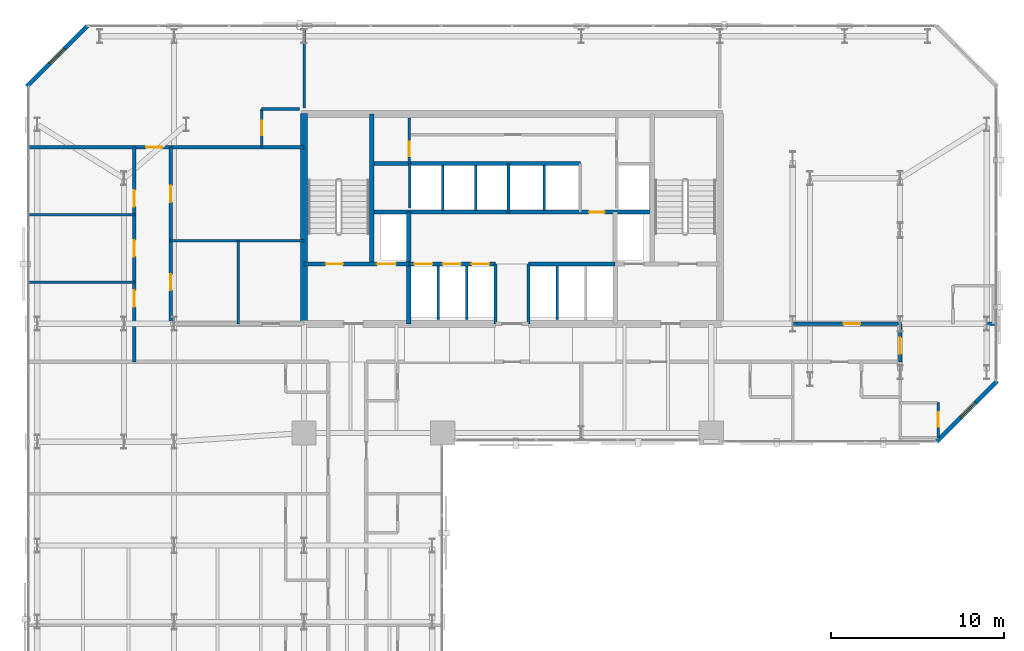
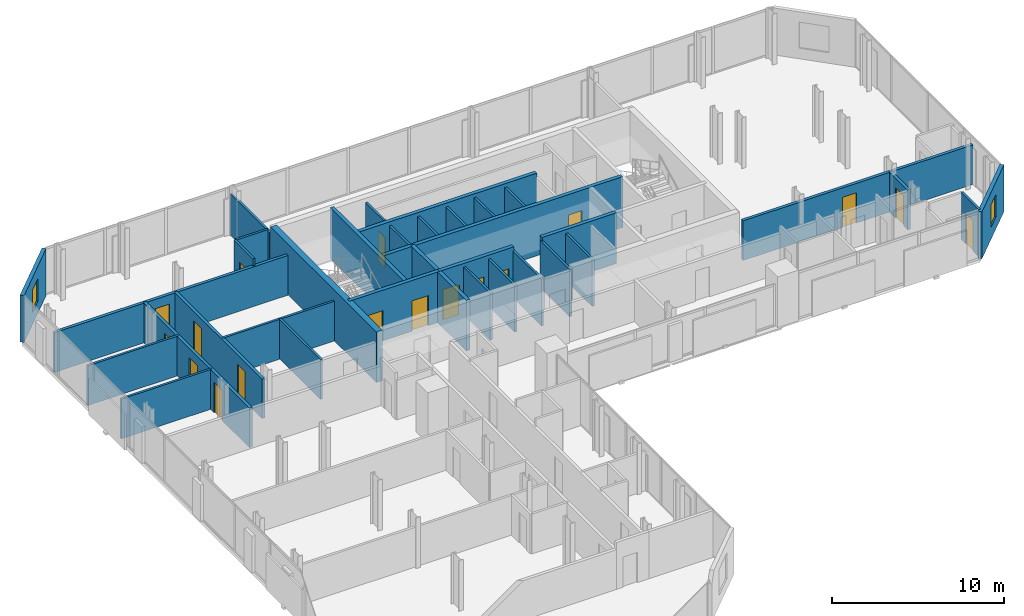
# One storey, part 30 of 33: 34 walls, 17 doors, 2 windows, 19 openings.
"""IFC4 building model written with IfcOpenShell, lengths in metres."""

from ifc_helpers import new_model, si_unit, direction, frame, frame_2d, origin, place, context, subcontext, project, spatial, rectangle, extrude, material, layer, layer_set, type_object, element, fill, save


model = new_model("IFC4")

# Units and contexts
model_context = context("Model", 3, precision=1e-05, world=origin(), true_north=direction((0.0, 1.0)))
body_context = subcontext(model_context, "Body", "Model", "MODEL_VIEW")
ifc_project = project(units=[si_unit("LENGTHUNIT", "METRE"), si_unit("AREAUNIT", "SQUARE_METRE"), si_unit("VOLUMEUNIT", "CUBIC_METRE"), si_unit("PLANEANGLEUNIT", "RADIAN"), si_unit("MASSUNIT", "GRAM", prefix="KILO")], contexts=[model_context])

# Site, building, storey
site_placement = place(None, origin())
site = spatial("IfcSite", under=ifc_project, at=site_placement, CompositionType="ELEMENT")
building_placement = place(site_placement, origin())
building = spatial("IfcBuilding", under=site, at=building_placement, Name="Catumbela Crestline Tower", CompositionType="ELEMENT")
storey_placement = place(building_placement, frame((0.0, 0.0, 43.8)))
storey = spatial("IfcBuildingStorey", under=building, at=storey_placement, Name="L10", CompositionType="ELEMENT", Elevation=43.8)

# Walls
ifc_material_1 = material(Name="Concrete C50/60", Category="concrete")
ifc_layer_1 = layer(ifc_material_1, 0.25, Name="Concrete C50/60")
ifc_layer_set_1 = layer_set([ifc_layer_1], Name="Concrete C50/60")
wall_type_1 = type_object("IfcWallType", Name="CW-250D", PredefinedType="SHEAR", material=ifc_layer_set_1)
wall_1_placement = place(storey_placement, frame((19.9, 34.25, 0.0), z_axis=(0.0, 0.0, 1.0), x_axis=(0.0, 1.0, 0.0)))
element("IfcWall", 1, at=wall_1_placement, inside=storey, type_object=wall_type_1, Name="L10 Structural Core Shear Wall WWEB", PredefinedType="SHEAR", context=body_context, shape_type="SweptSolid", body=[
    extrude(rectangle(XDim=8.65, YDim=0.25, at=frame_2d((4.325, 0.0))), origin(), (0.0, 0.0, 1.0), 3.6),
])
wall_2_placement = place(storey_placement, frame((22.05, 30.8, 0.0), z_axis=(0.0, 0.0, 1.0), x_axis=(0.0, 1.0, 0.0)))
element("IfcWall", 2, at=wall_2_placement, inside=storey, type_object=wall_type_1, Name="L10 Structural Core Shear Wall FFW", PredefinedType="SHEAR", context=body_context, shape_type="SweptSolid", body=[
    extrude(rectangle(XDim=6.45, YDim=0.25, at=frame_2d((3.225, 0.0))), origin(), (0.0, 0.0, 1.0), 3.6),
])

# Wall, openings, doors
wall_3_placement = place(storey_placement, frame((16.0, 34.25, 0.0), z_axis=(0.0, 0.0, 1.0), x_axis=(1.0, 0.0, 0.0)))
wall_3 = element("IfcWall", 3, at=wall_3_placement, inside=storey, type_object=wall_type_1, Name="L10 Structural Core Shear Wall ST1S", PredefinedType="SHEAR", context=body_context, shape_type="SweptSolid", body=[
    extrude(rectangle(XDim=6.05, YDim=0.25, at=frame_2d((3.025, 0.0))), origin(), (0.0, 0.0, 1.0), 3.6),
])
opening_1_placement = place(wall_3_placement, frame((1.25, 0.0, 0.0)))
opening_1 = element("IfcOpeningElement", 4, at=opening_1_placement, cuts=wall_3, Name="Opening DF9-100", PredefinedType="OPENING", context=body_context, shape_type="SweptSolid", body=[
    extrude(rectangle(XDim=1.0, YDim=2.15, at=frame_2d((0.5, 1.075))), frame((0.0, 0.135, 0.0), z_axis=(0.0, -1.0, 0.0), x_axis=(1.0, 0.0, 0.0)), (0.0, 0.0, 1.0), 0.27),
])
opening_2_placement = place(wall_3_placement, frame((4.2, 0.0, 0.0)))
opening_2 = element("IfcOpeningElement", 5, at=opening_2_placement, cuts=wall_3, Name="Opening LD-110", PredefinedType="OPENING", context=body_context, shape_type="SweptSolid", body=[
    extrude(rectangle(XDim=1.1, YDim=2.15, at=frame_2d((0.55, 1.075))), frame((0.0, 0.135, 0.0), z_axis=(0.0, -1.0, 0.0), x_axis=(1.0, 0.0, 0.0)), (0.0, 0.0, 1.0), 0.27),
])
ifc_material_2 = material(Name="Stainless steel EN 1.4401", Category="steel")
door_type_1 = type_object("IfcDoorType", Name="DF9-100", OperationType="NOTDEFINED", PredefinedType="DOOR", material=ifc_material_2)
door_1_placement = place(opening_1_placement, origin())
door_1 = element("IfcDoor", 6, at=door_1_placement, inside=storey, type_object=door_type_1, Name="L10 Interior Door DR-L10-ST01", OperationType="SINGLE_SWING_LEFT", OverallHeight=2.15, OverallWidth=1.0, PredefinedType="DOOR", context=body_context, shape_type="SweptSolid", body=[
    extrude(rectangle(XDim=1.0, YDim=2.15, at=frame_2d((0.5, 1.075))), frame((0.0, 0.025, 0.0), z_axis=(0.0, -1.0, 0.0), x_axis=(1.0, 0.0, 0.0)), (0.0, 0.0, 1.0), 0.05),
])
fill(opening_1, door_1)
door_type_2 = type_object("IfcDoorType", Name="LD-110", OperationType="NOTDEFINED", PredefinedType="DOOR", material=ifc_material_2)
door_2_placement = place(opening_2_placement, origin())
door_2 = element("IfcDoor", 7, at=door_2_placement, inside=storey, type_object=door_type_2, Name="L10 Lift Landing Sliding Door FL-01", OperationType="DOUBLE_DOOR_SLIDING", OverallHeight=2.15, OverallWidth=1.1, PredefinedType="DOOR", context=body_context, shape_type="SweptSolid", body=[
    extrude(rectangle(XDim=1.1, YDim=2.15, at=frame_2d((0.55, 1.075))), frame((0.0, 0.025, 0.0), z_axis=(0.0, -1.0, 0.0), x_axis=(1.0, 0.0, 0.0)), (0.0, 0.0, 1.0), 0.05),
])
fill(opening_2, door_2)

wall_4_placement = place(storey_placement, frame((22.05, 34.25, 0.0), z_axis=(0.0, 0.0, 1.0), x_axis=(1.0, 0.0, 0.0)))
wall_4 = element("IfcWall", 8, at=wall_4_placement, inside=storey, type_object=wall_type_1, Name="L10 Structural Core Shear Wall LIFTS-W", PredefinedType="SHEAR", context=body_context, shape_type="SweptSolid", body=[
    extrude(rectangle(XDim=5.0, YDim=0.25, at=frame_2d((2.5, 0.0))), origin(), (0.0, 0.0, 1.0), 3.6),
])
opening_3_placement = place(wall_4_placement, frame((0.3, 0.0, 0.0)))
opening_3 = element("IfcOpeningElement", 9, at=opening_3_placement, cuts=wall_4, Name="Opening LD-105", PredefinedType="OPENING", context=body_context, shape_type="SweptSolid", body=[
    extrude(rectangle(XDim=1.05, YDim=2.15, at=frame_2d((0.525, 1.075))), frame((0.0, 0.135, 0.0), z_axis=(0.0, -1.0, 0.0), x_axis=(1.0, 0.0, 0.0)), (0.0, 0.0, 1.0), 0.27),
])
opening_4_placement = place(wall_4_placement, frame((1.95, 0.0, 0.0)))
opening_4 = element("IfcOpeningElement", 10, at=opening_4_placement, cuts=wall_4, Name="Opening LD-105", PredefinedType="OPENING", context=body_context, shape_type="SweptSolid", body=[
    extrude(rectangle(XDim=1.05, YDim=2.15, at=frame_2d((0.525, 1.075))), frame((0.0, 0.135, 0.0), z_axis=(0.0, -1.0, 0.0), x_axis=(1.0, 0.0, 0.0)), (0.0, 0.0, 1.0), 0.27),
])
opening_5_placement = place(wall_4_placement, frame((3.6, 0.0, 0.0)))
opening_5 = element("IfcOpeningElement", 11, at=opening_5_placement, cuts=wall_4, Name="Opening LD-105", PredefinedType="OPENING", context=body_context, shape_type="SweptSolid", body=[
    extrude(rectangle(XDim=1.05, YDim=2.15, at=frame_2d((0.525, 1.075))), frame((0.0, 0.135, 0.0), z_axis=(0.0, -1.0, 0.0), x_axis=(1.0, 0.0, 0.0)), (0.0, 0.0, 1.0), 0.27),
])
door_type_3 = type_object("IfcDoorType", Name="LD-105", OperationType="NOTDEFINED", PredefinedType="DOOR", material=ifc_material_2)
door_3_placement = place(opening_3_placement, origin())
door_3 = element("IfcDoor", 12, at=door_3_placement, inside=storey, type_object=door_type_3, Name="L10 Lift Landing Sliding Door PL-L1", OperationType="DOUBLE_DOOR_SLIDING", OverallHeight=2.15, OverallWidth=1.05, PredefinedType="DOOR", context=body_context, shape_type="SweptSolid", body=[
    extrude(rectangle(XDim=1.05, YDim=2.15, at=frame_2d((0.525, 1.075))), frame((0.0, 0.025, 0.0), z_axis=(0.0, -1.0, 0.0), x_axis=(1.0, 0.0, 0.0)), (0.0, 0.0, 1.0), 0.05),
])
fill(opening_3, door_3)
door_4_placement = place(opening_4_placement, origin())
door_4 = element("IfcDoor", 13, at=door_4_placement, inside=storey, type_object=door_type_3, Name="L10 Lift Landing Sliding Door PL-L2", OperationType="DOUBLE_DOOR_SLIDING", OverallHeight=2.15, OverallWidth=1.05, PredefinedType="DOOR", context=body_context, shape_type="SweptSolid", body=[
    extrude(rectangle(XDim=1.05, YDim=2.15, at=frame_2d((0.525, 1.075))), frame((0.0, 0.025, 0.0), z_axis=(0.0, -1.0, 0.0), x_axis=(1.0, 0.0, 0.0)), (0.0, 0.0, 1.0), 0.05),
])
fill(opening_4, door_4)
door_5_placement = place(opening_5_placement, origin())
door_5 = element("IfcDoor", 14, at=door_5_placement, inside=storey, type_object=door_type_3, Name="L10 Lift Landing Sliding Door PL-L3", OperationType="DOUBLE_DOOR_SLIDING", OverallHeight=2.15, OverallWidth=1.05, PredefinedType="DOOR", context=body_context, shape_type="SweptSolid", body=[
    extrude(rectangle(XDim=1.05, YDim=2.15, at=frame_2d((0.525, 1.075))), frame((0.0, 0.025, 0.0), z_axis=(0.0, -1.0, 0.0), x_axis=(1.0, 0.0, 0.0)), (0.0, 0.0, 1.0), 0.05),
])
fill(opening_5, door_5)

# Wall
wall_5_placement = place(storey_placement, frame((28.95, 34.25, 0.0), z_axis=(0.0, 0.0, 1.0), x_axis=(1.0, 0.0, 0.0)))
element("IfcWall", 15, at=wall_5_placement, inside=storey, type_object=wall_type_1, Name="L10 Structural Core Shear Wall LIFTS-E", PredefinedType="SHEAR", context=body_context, shape_type="SweptSolid", body=[
    extrude(rectangle(XDim=5.0, YDim=0.25, at=frame_2d((2.5, 0.0))), origin(), (0.0, 0.0, 1.0), 3.6),
])

# Wall, opening, door
wall_6_placement = place(storey_placement, frame((19.9, 37.25, 0.0), z_axis=(0.0, 0.0, 1.0), x_axis=(1.0, 0.0, 0.0)))
wall_6 = element("IfcWall", 16, at=wall_6_placement, inside=storey, type_object=wall_type_1, Name="L10 Structural Core Shear Wall LIFTN", PredefinedType="SHEAR", context=body_context, shape_type="SweptSolid", body=[
    extrude(rectangle(XDim=16.2, YDim=0.25, at=frame_2d((8.1, 0.0))), origin(), (0.0, 0.0, 1.0), 3.6),
])
opening_6_placement = place(wall_6_placement, frame((12.55, 0.0, 0.0)))
opening_6 = element("IfcOpeningElement", 17, at=opening_6_placement, cuts=wall_6, Name="Opening DF9-090", PredefinedType="OPENING", context=body_context, shape_type="SweptSolid", body=[
    extrude(rectangle(XDim=0.9, YDim=2.15, at=frame_2d((0.45, 1.075))), frame((0.0, 0.135, 0.0), z_axis=(0.0, -1.0, 0.0), x_axis=(1.0, 0.0, 0.0)), (0.0, 0.0, 1.0), 0.27),
])
door_type_4 = type_object("IfcDoorType", Name="DF9-090", OperationType="NOTDEFINED", PredefinedType="DOOR", material=ifc_material_2)
door_6_placement = place(opening_6_placement, origin())
door_6 = element("IfcDoor", 18, at=door_6_placement, inside=storey, type_object=door_type_4, Name="L10 Interior Door DR-L10-CPAS1", OperationType="SINGLE_SWING_LEFT", OverallHeight=2.15, OverallWidth=0.9, PredefinedType="DOOR", context=body_context, shape_type="SweptSolid", body=[
    extrude(rectangle(XDim=0.9, YDim=2.15, at=frame_2d((0.45, 1.075))), frame((0.0, 0.025, 0.0), z_axis=(0.0, -1.0, 0.0), x_axis=(1.0, 0.0, 0.0)), (0.0, 0.0, 1.0), 0.05),
])
fill(opening_6, door_6)

# Walls
wall_7_placement = place(storey_placement, frame((19.9, 40.05, 0.0), z_axis=(0.0, 0.0, 1.0), x_axis=(1.0, 0.0, 0.0)))
element("IfcWall", 19, at=wall_7_placement, inside=storey, type_object=wall_type_1, Name="L10 Structural Core Shear Wall COREN", PredefinedType="SHEAR", context=body_context, shape_type="SweptSolid", body=[
    extrude(rectangle(XDim=12.05, YDim=0.25, at=frame_2d((6.025, 0.0))), origin(), (0.0, 0.0, 1.0), 3.6),
])
ifc_material_3 = material(Name="Concrete C60/75", Category="concrete")
ifc_layer_2 = layer(ifc_material_3, 0.4, Name="Concrete C60/75")
ifc_layer_set_2 = layer_set([ifc_layer_2], Name="Concrete C60/75")
wall_type_2 = type_object("IfcWallType", Name="CW-400A", PredefinedType="SHEAR", material=ifc_layer_set_2)
wall_8_placement = place(storey_placement, frame((16.0, 30.65, 0.0), z_axis=(0.0, 0.0, 1.0), x_axis=(0.0, 1.0, 0.0)))
element("IfcWall", 20, at=wall_8_placement, inside=storey, type_object=wall_type_2, Name="L10 Structural Core Shear Wall W", PredefinedType="SHEAR", context=body_context, shape_type="SweptSolid", body=[
    extrude(rectangle(XDim=12.3, YDim=0.4, at=frame_2d((6.15, 0.0))), origin(), (0.0, 0.0, 1.0), 3.6),
])

# Wall, openings, doors
ifc_material_4 = material(Name="Acoustic gypsum and mineral-wool partition")
ifc_layer_3 = layer(ifc_material_4, 0.2, Name="Acoustic gypsum and mineral-wool partition")
ifc_layer_set_3 = layer_set([ifc_layer_3], Name="Acoustic gypsum and mineral-wool partition")
wall_type_3 = type_object("IfcWallType", Name="WC-200", PredefinedType="PARTITIONING", material=ifc_layer_set_3)
wall_9_placement = place(storey_placement, frame((8.3, 30.8, 0.0), z_axis=(0.0, 0.0, 1.0), x_axis=(0.0, 1.0, 0.0)))
wall_9 = element("IfcWall", 21, at=wall_9_placement, inside=storey, type_object=wall_type_3, Name="L10 Interior Partition PW-L10-AWC-W", PredefinedType="PARTITIONING", context=body_context, shape_type="SweptSolid", body=[
    extrude(rectangle(XDim=10.2, YDim=0.2, at=frame_2d((5.1, 0.0))), origin(), (0.0, 0.0, 1.0), 2.82),
])
opening_7_placement = place(wall_9_placement, frame((1.95, 0.0, 0.0)))
opening_7 = element("IfcOpeningElement", 22, at=opening_7_placement, cuts=wall_9, Name="Opening DI-090", PredefinedType="OPENING", context=body_context, shape_type="SweptSolid", body=[
    extrude(rectangle(XDim=0.9, YDim=2.15, at=frame_2d((0.45, 1.075))), frame((0.0, 0.11, 0.0), z_axis=(0.0, -1.0, 0.0), x_axis=(1.0, 0.0, 0.0)), (0.0, 0.0, 1.0), 0.22),
])
opening_8_placement = place(wall_9_placement, frame((7.025, 0.0, 0.0)))
opening_8 = element("IfcOpeningElement", 23, at=opening_8_placement, cuts=wall_9, Name="Opening DF6-095", PredefinedType="OPENING", context=body_context, shape_type="SweptSolid", body=[
    extrude(rectangle(XDim=0.95, YDim=2.15, at=frame_2d((0.475, 1.075))), frame((0.0, 0.11, 0.0), z_axis=(0.0, -1.0, 0.0), x_axis=(1.0, 0.0, 0.0)), (0.0, 0.0, 1.0), 0.22),
])
ifc_material_5 = material(Name="Aluminium alloy AW-6060-T66", Category="aluminium")
door_type_5 = type_object("IfcDoorType", Name="DF6-095", OperationType="NOTDEFINED", PredefinedType="DOOR", material=ifc_material_5)
door_7_placement = place(opening_8_placement, origin())
door_7 = element("IfcDoor", 24, at=door_7_placement, inside=storey, type_object=door_type_5, Name="L10 Interior Door DR-L10-MT1-ENT", OperationType="SINGLE_SWING_LEFT", OverallHeight=2.15, OverallWidth=0.95, PredefinedType="DOOR", context=body_context, shape_type="SweptSolid", body=[
    extrude(rectangle(XDim=0.95, YDim=2.15, at=frame_2d((0.475, 1.075))), frame((0.0, 0.025, 0.0), z_axis=(0.0, -1.0, 0.0), x_axis=(1.0, 0.0, 0.0)), (0.0, 0.0, 1.0), 0.05),
])
fill(opening_8, door_7)
door_type_6 = type_object("IfcDoorType", Name="DI-090", OperationType="NOTDEFINED", PredefinedType="DOOR", material=ifc_material_5)
door_8_placement = place(opening_7_placement, origin())
door_8 = element("IfcDoor", 25, at=door_8_placement, inside=storey, type_object=door_type_6, Name="L10 Interior Door DR-L10-STWC", OperationType="SINGLE_SWING_RIGHT", OverallHeight=2.15, OverallWidth=0.9, PredefinedType="DOOR", context=body_context, shape_type="SweptSolid", body=[
    extrude(rectangle(XDim=0.9, YDim=2.15, at=frame_2d((0.45, 1.075))), frame((0.0, 0.025, 0.0), z_axis=(0.0, -1.0, 0.0), x_axis=(1.0, 0.0, 0.0)), (0.0, 0.0, 1.0), 0.05),
])
fill(opening_7, door_8)

# Wall, opening, door
wall_10_placement = place(storey_placement, frame((0.1, 41.0, 0.0), z_axis=(0.0, 0.0, 1.0), x_axis=(1.0, 0.0, 0.0)))
wall_10 = element("IfcWall", 26, at=wall_10_placement, inside=storey, type_object=wall_type_3, Name="L10 Interior Partition PW-L10-NWTOP-ENT", PredefinedType="PARTITIONING", context=body_context, shape_type="SweptSolid", body=[
    extrude(rectangle(XDim=15.9, YDim=0.2, at=frame_2d((7.95, 0.0))), origin(), (0.0, 0.0, 1.0), 2.82),
])
opening_9_placement = place(wall_10_placement, frame((6.7788, 0.0, 0.0)))
opening_9 = element("IfcOpeningElement", 27, at=opening_9_placement, cuts=wall_10, Name="Opening DF6-095", PredefinedType="OPENING", context=body_context, shape_type="SweptSolid", body=[
    extrude(rectangle(XDim=0.95, YDim=2.15, at=frame_2d((0.475, 1.075))), frame((0.0, 0.11, 0.0), z_axis=(0.0, -1.0, 0.0), x_axis=(1.0, 0.0, 0.0)), (0.0, 0.0, 1.0), 0.22),
])
door_9_placement = place(opening_9_placement, origin())
door_9 = element("IfcDoor", 28, at=door_9_placement, inside=storey, type_object=door_type_5, Name="L10 Interior Door DR-L10-NWTOP-ENT", OperationType="SINGLE_SWING_LEFT", OverallHeight=2.15, OverallWidth=0.95, PredefinedType="DOOR", context=body_context, shape_type="SweptSolid", body=[
    extrude(rectangle(XDim=0.95, YDim=2.15, at=frame_2d((0.475, 1.075))), frame((0.0, 0.025, 0.0), z_axis=(0.0, -1.0, 0.0), x_axis=(1.0, 0.0, 0.0)), (0.0, 0.0, 1.0), 0.05),
])
fill(opening_9, door_9)

# Wall, openings, doors
wall_11_placement = place(storey_placement, frame((6.2, 28.6, 0.0), z_axis=(0.0, 0.0, 1.0), x_axis=(0.0, 1.0, 0.0)))
wall_11 = element("IfcWall", 29, at=wall_11_placement, inside=storey, type_object=wall_type_3, Name="L10 Interior Partition PW-L10-OF1-ENT", PredefinedType="PARTITIONING", context=body_context, shape_type="SweptSolid", body=[
    extrude(rectangle(XDim=12.4, YDim=0.2, at=frame_2d((6.2, 0.0))), origin(), (0.0, 0.0, 1.0), 2.82),
])
opening_10_placement = place(wall_11_placement, frame((3.1818, 0.0, 0.0)))
opening_10 = element("IfcOpeningElement", 30, at=opening_10_placement, cuts=wall_11, Name="Opening DF6-095", PredefinedType="OPENING", context=body_context, shape_type="SweptSolid", body=[
    extrude(rectangle(XDim=0.95, YDim=2.15, at=frame_2d((0.475, 1.075))), frame((0.0, 0.11, 0.0), z_axis=(0.0, -1.0, 0.0), x_axis=(1.0, 0.0, 0.0)), (0.0, 0.0, 1.0), 0.22),
])
opening_11_placement = place(wall_11_placement, frame((6.075, 0.0, 0.0)))
opening_11 = element("IfcOpeningElement", 31, at=opening_11_placement, cuts=wall_11, Name="Opening DF6-095", PredefinedType="OPENING", context=body_context, shape_type="SweptSolid", body=[
    extrude(rectangle(XDim=0.95, YDim=2.15, at=frame_2d((0.475, 1.075))), frame((0.0, 0.11, 0.0), z_axis=(0.0, -1.0, 0.0), x_axis=(1.0, 0.0, 0.0)), (0.0, 0.0, 1.0), 0.22),
])
opening_12_placement = place(wall_11_placement, frame((8.966, 0.0, 0.0)))
opening_12 = element("IfcOpeningElement", 32, at=opening_12_placement, cuts=wall_11, Name="Opening DF6-095", PredefinedType="OPENING", context=body_context, shape_type="SweptSolid", body=[
    extrude(rectangle(XDim=0.95, YDim=2.15, at=frame_2d((0.475, 1.075))), frame((0.0, 0.11, 0.0), z_axis=(0.0, -1.0, 0.0), x_axis=(1.0, 0.0, 0.0)), (0.0, 0.0, 1.0), 0.22),
])
door_10_placement = place(opening_10_placement, origin())
door_10 = element("IfcDoor", 33, at=door_10_placement, inside=storey, type_object=door_type_5, Name="L10 Interior Door DR-L10-OF1-ENT", OperationType="SINGLE_SWING_RIGHT", OverallHeight=2.15, OverallWidth=0.95, PredefinedType="DOOR", context=body_context, shape_type="SweptSolid", body=[
    extrude(rectangle(XDim=0.95, YDim=2.15, at=frame_2d((0.475, 1.075))), frame((0.0, 0.025, 0.0), z_axis=(0.0, -1.0, 0.0), x_axis=(1.0, 0.0, 0.0)), (0.0, 0.0, 1.0), 0.05),
])
fill(opening_10, door_10)
door_11_placement = place(opening_11_placement, origin())
door_11 = element("IfcDoor", 34, at=door_11_placement, inside=storey, type_object=door_type_5, Name="L10 Interior Door DR-L10-OF2-ENT", OperationType="SINGLE_SWING_RIGHT", OverallHeight=2.15, OverallWidth=0.95, PredefinedType="DOOR", context=body_context, shape_type="SweptSolid", body=[
    extrude(rectangle(XDim=0.95, YDim=2.15, at=frame_2d((0.475, 1.075))), frame((0.0, 0.025, 0.0), z_axis=(0.0, -1.0, 0.0), x_axis=(1.0, 0.0, 0.0)), (0.0, 0.0, 1.0), 0.05),
])
fill(opening_11, door_11)
door_12_placement = place(opening_12_placement, origin())
door_12 = element("IfcDoor", 35, at=door_12_placement, inside=storey, type_object=door_type_5, Name="L10 Interior Door DR-L10-OF3-ENT", OperationType="SINGLE_SWING_LEFT", OverallHeight=2.15, OverallWidth=0.95, PredefinedType="DOOR", context=body_context, shape_type="SweptSolid", body=[
    extrude(rectangle(XDim=0.95, YDim=2.15, at=frame_2d((0.475, 1.075))), frame((0.0, 0.025, 0.0), z_axis=(0.0, -1.0, 0.0), x_axis=(1.0, 0.0, 0.0)), (0.0, 0.0, 1.0), 0.05),
])
fill(opening_12, door_12)

# Wall, opening, door
wall_12_placement = place(storey_placement, frame((40.47, 30.8, 0.0), z_axis=(0.0, 0.0, 1.0), x_axis=(1.0, 0.0, 0.0)))
wall_12 = element("IfcWall", 36, at=wall_12_placement, inside=storey, type_object=wall_type_3, Name="L10 Interior Partition PW-L10-NES-ENT", PredefinedType="PARTITIONING", context=body_context, shape_type="SweptSolid", body=[
    extrude(rectangle(XDim=15.43, YDim=0.2, at=frame_2d((7.715, 0.0))), origin(), (0.0, 0.0, 1.0), 2.82),
])
opening_13_placement = place(wall_12_placement, frame((6.6725, 0.0, 0.0)))
opening_13 = element("IfcOpeningElement", 37, at=opening_13_placement, cuts=wall_12, Name="Opening DF6-095", PredefinedType="OPENING", context=body_context, shape_type="SweptSolid", body=[
    extrude(rectangle(XDim=0.95, YDim=2.15, at=frame_2d((0.475, 1.075))), frame((0.0, 0.11, 0.0), z_axis=(0.0, -1.0, 0.0), x_axis=(1.0, 0.0, 0.0)), (0.0, 0.0, 1.0), 0.22),
])
door_13_placement = place(opening_13_placement, origin())
door_13 = element("IfcDoor", 38, at=door_13_placement, inside=storey, type_object=door_type_5, Name="L10 Interior Door DR-L10-NES-ENT", OperationType="SINGLE_SWING_LEFT", OverallHeight=2.15, OverallWidth=0.95, PredefinedType="DOOR", context=body_context, shape_type="SweptSolid", body=[
    extrude(rectangle(XDim=0.95, YDim=2.15, at=frame_2d((0.475, 1.075))), frame((0.0, 0.025, 0.0), z_axis=(0.0, -1.0, 0.0), x_axis=(1.0, 0.0, 0.0)), (0.0, 0.0, 1.0), 0.05),
])
fill(opening_13, door_13)

wall_13_placement = place(storey_placement, frame((50.4, 28.6, 0.0), z_axis=(0.0, 0.0, 1.0), x_axis=(0.0, 1.0, 0.0)))
wall_13 = element("IfcWall", 39, at=wall_13_placement, inside=storey, type_object=wall_type_3, Name="L10 Interior Partition PW-L10-NESE-ENT", PredefinedType="PARTITIONING", context=body_context, shape_type="SweptSolid", body=[
    extrude(rectangle(XDim=2.2, YDim=0.2, at=frame_2d((1.1, 0.0))), origin(), (0.0, 0.0, 1.0), 2.82),
])
opening_14_placement = place(wall_13_placement, frame((0.46, 0.0, 0.0)))
opening_14 = element("IfcOpeningElement", 40, at=opening_14_placement, cuts=wall_13, Name="Opening DF6-095", PredefinedType="OPENING", context=body_context, shape_type="SweptSolid", body=[
    extrude(rectangle(XDim=0.95, YDim=2.15, at=frame_2d((0.475, 1.075))), frame((0.0, 0.11, 0.0), z_axis=(0.0, -1.0, 0.0), x_axis=(1.0, 0.0, 0.0)), (0.0, 0.0, 1.0), 0.22),
])
door_14_placement = place(opening_14_placement, origin())
door_14 = element("IfcDoor", 41, at=door_14_placement, inside=storey, type_object=door_type_5, Name="L10 Interior Door DR-L10-NESE-ENT", OperationType="SINGLE_SWING_RIGHT", OverallHeight=2.15, OverallWidth=0.95, PredefinedType="DOOR", context=body_context, shape_type="SweptSolid", body=[
    extrude(rectangle(XDim=0.95, YDim=2.15, at=frame_2d((0.475, 1.075))), frame((0.0, 0.025, 0.0), z_axis=(0.0, -1.0, 0.0), x_axis=(1.0, 0.0, 0.0)), (0.0, 0.0, 1.0), 0.05),
])
fill(opening_14, door_14)

# Wall, opening, window
ifc_material_6 = material(Name="Angolan grey-ochre granite", Category="masonry")
ifc_layer_4 = layer(ifc_material_6, 0.25, Name="Angolan grey-ochre granite")
ifc_layer_set_4 = layer_set([ifc_layer_4], Name="Angolan grey-ochre granite")
wall_type_4 = type_object("IfcWallType", Name="WE-250", PredefinedType="STANDARD", material=ifc_layer_set_4)
wall_14_placement = place(storey_placement, frame((52.5, 24.0, 0.0), z_axis=(0.0, 0.0, 1.0), x_axis=(0.707106781187, 0.707106781187, 0.0)))
wall_14 = element("IfcWall", 42, at=wall_14_placement, inside=storey, type_object=wall_type_4, Name="L10 Granite Punched Window Wall 4-1", PredefinedType="STANDARD", context=body_context, shape_type="SweptSolid", body=[
    extrude(rectangle(XDim=4.9497, YDim=0.25, at=frame_2d((2.4748, 0.0))), origin(), (0.0, 0.0, 1.0), 3.33),
])
opening_15_placement = place(wall_14_placement, frame((1.9851, 0.0, 0.85)))
opening_15 = element("IfcOpeningElement", 43, at=opening_15_placement, cuts=wall_14, Name="Opening WN-02", PredefinedType="OPENING", context=body_context, shape_type="SweptSolid", body=[
    extrude(rectangle(XDim=1.2, YDim=1.6, at=frame_2d((0.6, 0.8))), frame((0.0, 0.135, 0.0), z_axis=(0.0, -1.0, 0.0), x_axis=(1.0, 0.0, 0.0)), (0.0, 0.0, 1.0), 0.27),
])
ifc_material_7 = material(Name="Low-E laminated solar-control double glazing", Category="glass")
window_type = type_object("IfcWindowType", Name="WO-1200", PartitioningType="SINGLE_PANEL", PredefinedType="WINDOW", material=ifc_material_7)
window_1_placement = place(opening_15_placement, origin())
window_1 = element("IfcWindow", 44, at=window_1_placement, inside=storey, type_object=window_type, Name="L10 Facade Vision Window 74", OverallHeight=1.6, OverallWidth=1.2, PartitioningType="SINGLE_PANEL", PredefinedType="WINDOW", context=body_context, shape_type="SweptSolid", body=[
    extrude(rectangle(XDim=1.2, YDim=1.6, at=frame_2d((0.6, 0.8))), frame((0.0, 0.03, 0.0), z_axis=(0.0, -1.0, 0.0), x_axis=(1.0, 0.0, 0.0)), (0.0, 0.0, 1.0), 0.06),
])
fill(opening_15, window_1)

wall_15_placement = place(storey_placement, frame((3.5, 48.0, 0.0), z_axis=(0.0, 0.0, 1.0), x_axis=(-0.707106781187, -0.707106781187, 0.0)))
wall_15 = element("IfcWall", 45, at=wall_15_placement, inside=storey, type_object=wall_type_4, Name="L10 Granite Punched Window Wall 8-1", PredefinedType="STANDARD", context=body_context, shape_type="SweptSolid", body=[
    extrude(rectangle(XDim=4.9497, YDim=0.25, at=frame_2d((2.4748, 0.0))), origin(), (0.0, 0.0, 1.0), 3.33),
])
opening_16_placement = place(wall_15_placement, frame((1.8748, 0.0, 0.85)))
opening_16 = element("IfcOpeningElement", 46, at=opening_16_placement, cuts=wall_15, Name="Opening WN-02", PredefinedType="OPENING", context=body_context, shape_type="SweptSolid", body=[
    extrude(rectangle(XDim=1.2, YDim=1.6, at=frame_2d((0.6, 0.8))), frame((0.0, 0.135, 0.0), z_axis=(0.0, -1.0, 0.0), x_axis=(1.0, 0.0, 0.0)), (0.0, 0.0, 1.0), 0.27),
])
window_2_placement = place(opening_16_placement, origin())
window_2 = element("IfcWindow", 47, at=window_2_placement, inside=storey, type_object=window_type, Name="L10 Facade Vision Window 76", OverallHeight=1.6, OverallWidth=1.2, PartitioningType="SINGLE_PANEL", PredefinedType="WINDOW", context=body_context, shape_type="SweptSolid", body=[
    extrude(rectangle(XDim=1.2, YDim=1.6, at=frame_2d((0.6, 0.8))), frame((0.0, 0.03, 0.0), z_axis=(0.0, -1.0, 0.0), x_axis=(1.0, 0.0, 0.0)), (0.0, 0.0, 1.0), 0.06),
])
fill(opening_16, window_2)

# Wall, opening, door
ifc_layer_5 = layer(ifc_material_4, 0.15, Name="Acoustic gypsum and mineral-wool partition")
ifc_layer_set_5 = layer_set([ifc_layer_5], Name="Acoustic gypsum and mineral-wool partition")
wall_type_5 = type_object("IfcWallType", Name="WP-150", PredefinedType="PARTITIONING", material=ifc_layer_set_5)
wall_16_placement = place(storey_placement, frame((22.08, 40.05, 0.0), z_axis=(0.0, 0.0, 1.0), x_axis=(0.0, 1.0, 0.0)))
wall_16 = element("IfcWall", 48, at=wall_16_placement, inside=storey, type_object=wall_type_5, Name="L10 Interior Partition PW-L10-CR-WCW", PredefinedType="PARTITIONING", context=body_context, shape_type="SweptSolid", body=[
    extrude(rectangle(XDim=2.63, YDim=0.15, at=frame_2d((1.315, 0.0))), origin(), (0.0, 0.0, 1.0), 3.33),
])
opening_17_placement = place(wall_16_placement, frame((0.41, 0.0, 0.0)))
opening_17 = element("IfcOpeningElement", 49, at=opening_17_placement, cuts=wall_16, Name="Opening DI-085", PredefinedType="OPENING", context=body_context, shape_type="SweptSolid", body=[
    extrude(rectangle(XDim=0.85, YDim=2.15, at=frame_2d((0.425, 1.075))), frame((0.0, 0.085, 0.0), z_axis=(0.0, -1.0, 0.0), x_axis=(1.0, 0.0, 0.0)), (0.0, 0.0, 1.0), 0.17),
])
door_type_7 = type_object("IfcDoorType", Name="DI-085", OperationType="NOTDEFINED", PredefinedType="DOOR", material=ifc_material_5)
door_15_placement = place(opening_17_placement, origin())
door_15 = element("IfcDoor", 50, at=door_15_placement, inside=storey, type_object=door_type_7, Name="L10 Interior Door DR-L10-CRWC", OperationType="SINGLE_SWING_LEFT", OverallHeight=2.15, OverallWidth=0.85, PredefinedType="DOOR", context=body_context, shape_type="SweptSolid", body=[
    extrude(rectangle(XDim=0.85, YDim=2.15, at=frame_2d((0.425, 1.075))), frame((0.0, 0.025, 0.0), z_axis=(0.0, -1.0, 0.0), x_axis=(1.0, 0.0, 0.0)), (0.0, 0.0, 1.0), 0.05),
])
fill(opening_17, door_15)

# Walls
wall_17_placement = place(storey_placement, frame((8.3, 35.6, 0.0), z_axis=(0.0, 0.0, 1.0), x_axis=(1.0, 0.0, 0.0)))
element("IfcWall", 51, at=wall_17_placement, inside=storey, type_object=wall_type_5, Name="L10 Interior Partition PW-L10-HK-N", PredefinedType="PARTITIONING", context=body_context, shape_type="SweptSolid", body=[
    extrude(rectangle(XDim=7.7, YDim=0.15, at=frame_2d((3.85, 0.0))), origin(), (0.0, 0.0, 1.0), 2.82),
])
wall_18_placement = place(storey_placement, frame((12.2, 30.8, 0.0), z_axis=(0.0, 0.0, 1.0), x_axis=(0.0, 1.0, 0.0)))
element("IfcWall", 52, at=wall_18_placement, inside=storey, type_object=wall_type_5, Name="L10 Interior Partition PW-L10-HK-M", PredefinedType="PARTITIONING", context=body_context, shape_type="SweptSolid", body=[
    extrude(rectangle(XDim=4.8, YDim=0.15, at=frame_2d((2.4, 0.0))), origin(), (0.0, 0.0, 1.0), 2.82),
])
wall_19_placement = place(storey_placement, frame((13.55, 43.2, 0.0), z_axis=(0.0, 0.0, 1.0), x_axis=(1.0, 0.0, 0.0)))
element("IfcWall", 53, at=wall_19_placement, inside=storey, type_object=wall_type_5, Name="L10 Interior Partition PW-L10-NWTOP-BHW", PredefinedType="PARTITIONING", context=body_context, shape_type="SweptSolid", body=[
    extrude(rectangle(XDim=2.1897, YDim=0.15, at=frame_2d((1.0949, 0.0))), origin(), (0.0, 0.0, 1.0), 3.33),
])

# Wall, opening, door
wall_20_placement = place(storey_placement, frame((13.55, 41.0, 0.0), z_axis=(0.0, 0.0, 1.0), x_axis=(0.0, 1.0, 0.0)))
wall_20 = element("IfcWall", 54, at=wall_20_placement, inside=storey, type_object=wall_type_5, Name="L10 Interior Partition PW-L10-NWTOP-BWW", PredefinedType="PARTITIONING", context=body_context, shape_type="SweptSolid", body=[
    extrude(rectangle(XDim=2.2, YDim=0.15, at=frame_2d((1.1, 0.0))), origin(), (0.0, 0.0, 1.0), 3.33),
])
opening_18_placement = place(wall_20_placement, frame((0.675, 0.0, 0.0)))
opening_18 = element("IfcOpeningElement", 55, at=opening_18_placement, cuts=wall_20, Name="Opening DI-085", PredefinedType="OPENING", context=body_context, shape_type="SweptSolid", body=[
    extrude(rectangle(XDim=0.85, YDim=2.15, at=frame_2d((0.425, 1.075))), frame((0.0, 0.085, 0.0), z_axis=(0.0, -1.0, 0.0), x_axis=(1.0, 0.0, 0.0)), (0.0, 0.0, 1.0), 0.17),
])
door_16_placement = place(opening_18_placement, origin())
door_16 = element("IfcDoor", 56, at=door_16_placement, inside=storey, type_object=door_type_7, Name="L10 Interior Door DR-L10-NWTOP-BTH", OperationType="SINGLE_SWING_RIGHT", OverallHeight=2.15, OverallWidth=0.85, PredefinedType="DOOR", context=body_context, shape_type="SweptSolid", body=[
    extrude(rectangle(XDim=0.85, YDim=2.15, at=frame_2d((0.425, 1.075))), frame((0.0, 0.025, 0.0), z_axis=(0.0, -1.0, 0.0), x_axis=(1.0, 0.0, 0.0)), (0.0, 0.0, 1.0), 0.05),
])
fill(opening_18, door_16)

# Walls
for number, where, z_axis, x_axis, name in (
    (57, (0.1, 33.2, 0.0), (0.0, 0.0, 1.0), (1.0, 0.0, 0.0), "L10 Interior Partition PW-L10-G1-1"),
    (58, (0.1, 37.1, 0.0), (0.0, 0.0, 1.0), (1.0, 0.0, 0.0), "L10 Interior Partition PW-L10-G1-2"),
):
    element("IfcWall", number, at=place(storey_placement, frame(where, z_axis=z_axis, x_axis=x_axis)), inside=storey, type_object=wall_type_5, Name=name, PredefinedType="PARTITIONING", context=body_context, shape_type="SweptSolid", body=[
        extrude(rectangle(XDim=6.1, YDim=0.15, at=frame_2d((3.05, 0.0))), origin(), (0.0, 0.0, 1.0), 2.82),
    ])
wall_21_placement = place(storey_placement, frame((16.0, 43.27, 0.0), z_axis=(0.0, 0.0, 1.0), x_axis=(0.0, 1.0, 0.0)))
element("IfcWall", 59, at=wall_21_placement, inside=storey, type_object=wall_type_5, Name="L10 Interior Partition PW-L10-NCF-W", PredefinedType="PARTITIONING", context=body_context, shape_type="SweptSolid", body=[
    extrude(rectangle(XDim=4.63, YDim=0.15, at=frame_2d((2.315, 0.0))), origin(), (0.0, 0.0, 1.0), 2.93),
])

# Wall, opening, door
wall_22_placement = place(storey_placement, frame((52.6, 24.2, 0.0), z_axis=(0.0, 0.0, 1.0), x_axis=(0.0, 1.0, 0.0)))
wall_22 = element("IfcWall", 60, at=wall_22_placement, inside=storey, type_object=wall_type_5, Name="L10 Interior Partition PW-L10-NESE-BEW", PredefinedType="PARTITIONING", context=body_context, shape_type="SweptSolid", body=[
    extrude(rectangle(XDim=2.05, YDim=0.15, at=frame_2d((1.025, 0.0))), origin(), (0.0, 0.0, 1.0), 3.33),
])
opening_19_placement = place(wall_22_placement, frame((0.6514, 0.0, 0.0)))
opening_19 = element("IfcOpeningElement", 61, at=opening_19_placement, cuts=wall_22, Name="Opening DI-085", PredefinedType="OPENING", context=body_context, shape_type="SweptSolid", body=[
    extrude(rectangle(XDim=0.85, YDim=2.15, at=frame_2d((0.425, 1.075))), frame((0.0, 0.085, 0.0), z_axis=(0.0, -1.0, 0.0), x_axis=(1.0, 0.0, 0.0)), (0.0, 0.0, 1.0), 0.17),
])
door_17_placement = place(opening_19_placement, origin())
door_17 = element("IfcDoor", 62, at=door_17_placement, inside=storey, type_object=door_type_7, Name="L10 Interior Door DR-L10-NESE-BTH", OperationType="SINGLE_SWING_LEFT", OverallHeight=2.15, OverallWidth=0.85, PredefinedType="DOOR", context=body_context, shape_type="SweptSolid", body=[
    extrude(rectangle(XDim=0.85, YDim=2.15, at=frame_2d((0.425, 1.075))), frame((0.0, 0.025, 0.0), z_axis=(0.0, -1.0, 0.0), x_axis=(1.0, 0.0, 0.0)), (0.0, 0.0, 1.0), 0.05),
])
fill(opening_19, door_17)

# Walls
ifc_layer_6 = layer(ifc_material_4, 0.15, Name="Acoustic gypsum and mineral-wool partition")
ifc_layer_set_6 = layer_set([ifc_layer_6], Name="Acoustic gypsum and mineral-wool partition")
wall_type_6 = type_object("IfcWallType", Name="WS-150", PredefinedType="PLUMBINGWALL", material=ifc_layer_set_6)
for number, where, z_axis, x_axis, name in (
    (63, (27.05, 30.8, 0.0), (0.0, 0.0, 1.0), (0.0, 1.0, 0.0), "L10 Interior Partition PW-L10-THRW"),
    (64, (28.95, 30.8, 0.0), (0.0, 0.0, 1.0), (0.0, 1.0, 0.0), "L10 Interior Partition PW-L10-THRE"),
):
    element("IfcWall", number, at=place(storey_placement, frame(where, z_axis=z_axis, x_axis=x_axis)), inside=storey, type_object=wall_type_6, Name=name, PredefinedType="PLUMBINGWALL", context=body_context, shape_type="SweptSolid", body=[
        extrude(rectangle(XDim=3.45, YDim=0.15, at=frame_2d((1.725, 0.0))), origin(), (0.0, 0.0, 1.0), 3.33),
    ])
for number, where, z_axis, x_axis, name in (
    (65, (23.75, 31.05, 0.0), (0.0, 0.0, 1.0), (0.0, 1.0, 0.0), "L10 Interior Partition PW-L10-SHL1"),
    (66, (25.4, 31.05, 0.0), (0.0, 0.0, 1.0), (0.0, 1.0, 0.0), "L10 Interior Partition PW-L10-SHL2"),
    (67, (30.6, 31.05, 0.0), (0.0, 0.0, 1.0), (0.0, 1.0, 0.0), "L10 Interior Partition PW-L10-SHM1"),
):
    element("IfcWall", number, at=place(storey_placement, frame(where, z_axis=z_axis, x_axis=x_axis)), inside=storey, type_object=wall_type_6, Name=name, PredefinedType="PLUMBINGWALL", context=body_context, shape_type="SweptSolid", body=[
        extrude(rectangle(XDim=3.1, YDim=0.15, at=frame_2d((1.55, 0.0))), origin(), (0.0, 0.0, 1.0), 3.33),
    ])
wall_23_placement = place(storey_placement, frame((22.1, 37.4897, 0.0), z_axis=(0.0, 0.0, 1.0), x_axis=(0.0, 1.0, 0.0)))
element("IfcWall", 68, at=wall_23_placement, inside=storey, type_object=wall_type_6, Name="L10 Interior Partition PW-L10-SHH0", PredefinedType="PLUMBINGWALL", context=body_context, shape_type="SweptSolid", body=[
    extrude(rectangle(XDim=2.5603, YDim=0.15, at=frame_2d((1.2801, 0.0))), origin(), (0.0, 0.0, 1.0), 3.33),
])
wall_24_placement = place(storey_placement, frame((27.8, 37.25, 0.0), z_axis=(0.0, 0.0, 1.0), x_axis=(0.0, 1.0, 0.0)))
element("IfcWall", 69, at=wall_24_placement, inside=storey, type_object=wall_type_6, Name="L10 Interior Partition PW-L10-SHH3", PredefinedType="PLUMBINGWALL", context=body_context, shape_type="SweptSolid", body=[
    extrude(rectangle(XDim=2.8, YDim=0.15, at=frame_2d((1.4, 0.0))), origin(), (0.0, 0.0, 1.0), 3.33),
])
for number, where, z_axis, x_axis, name in (
    (70, (24.0, 37.35, 0.0), (0.0, 0.0, 1.0), (0.0, 1.0, 0.0), "L10 Interior Partition PW-L10-SHH1"),
    (71, (25.9, 37.35, 0.0), (0.0, 0.0, 1.0), (0.0, 1.0, 0.0), "L10 Interior Partition PW-L10-SHH2"),
    (72, (29.85, 37.35, 0.0), (0.0, 0.0, 1.0), (0.0, 1.0, 0.0), "L10 Interior Partition PW-L10-SHEX1"),
):
    element("IfcWall", number, at=place(storey_placement, frame(where, z_axis=z_axis, x_axis=x_axis)), inside=storey, type_object=wall_type_6, Name=name, PredefinedType="PLUMBINGWALL", context=body_context, shape_type="SweptSolid", body=[
        extrude(rectangle(XDim=2.6, YDim=0.15, at=frame_2d((1.3, 0.0))), origin(), (0.0, 0.0, 1.0), 3.33),
    ])

save(model, "model.ifc")
